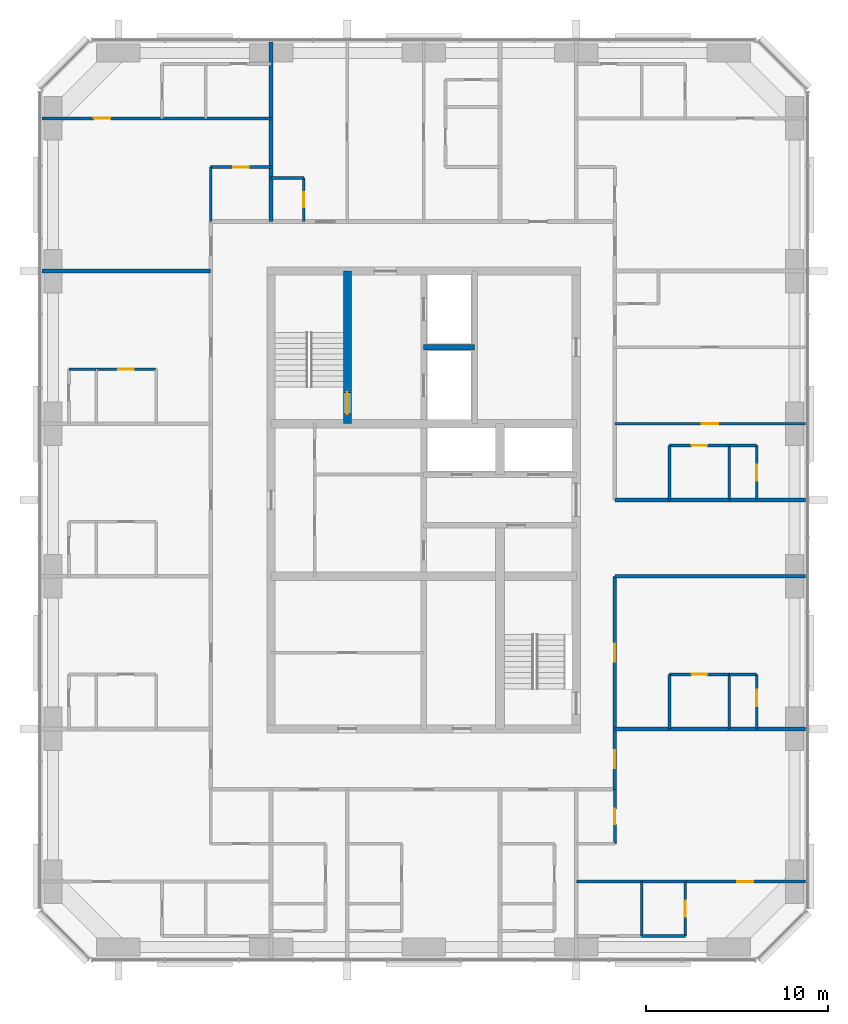
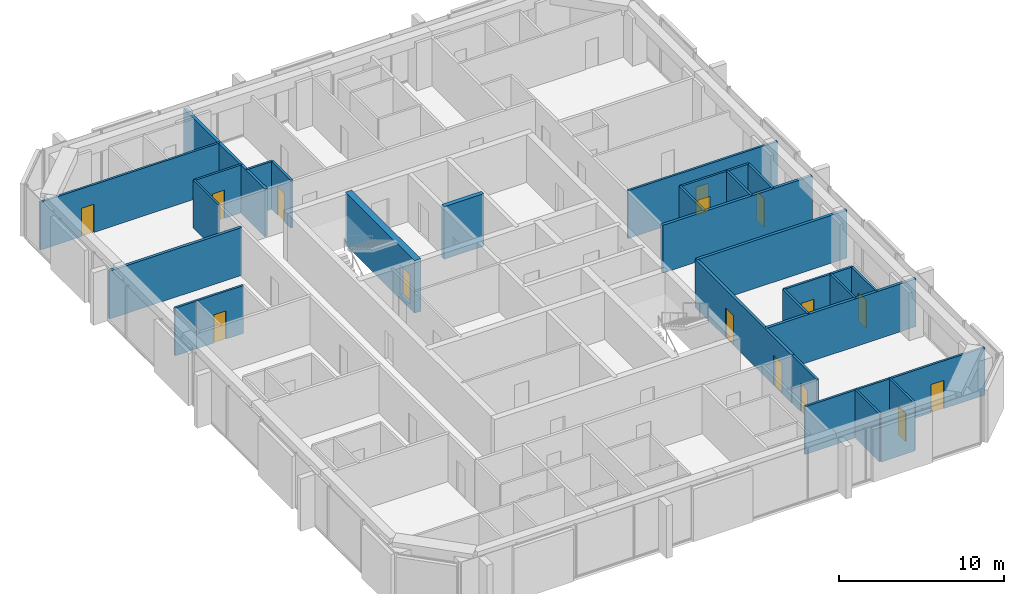
# One storey, part 9 of 12: 31 walls, 15 doors, 15 openings.
"""IFC4 building model written with IfcOpenShell, lengths in metres."""

from ifc_helpers import new_model, si_unit, direction, frame, frame_2d, origin, place, context, subcontext, project, spatial, rectangle, extrude, material, layer, layer_set, type_object, element, fill, save


model = new_model("IFC4")

# Units and contexts
model_context = context("Model", 3, precision=1e-05, world=origin(), true_north=direction((0.0, 1.0)))
body_context = subcontext(model_context, "Body", "Model", "MODEL_VIEW")
ifc_project = project(units=[si_unit("LENGTHUNIT", "METRE"), si_unit("AREAUNIT", "SQUARE_METRE"), si_unit("VOLUMEUNIT", "CUBIC_METRE"), si_unit("PLANEANGLEUNIT", "RADIAN"), si_unit("MASSUNIT", "GRAM", prefix="KILO")], contexts=[model_context])

# Site, building, storey
site_placement = place(None, origin())
site = spatial("IfcSite", under=ifc_project, at=site_placement, CompositionType="ELEMENT")
building_placement = place(site_placement, origin())
building = spatial("IfcBuilding", under=site, at=building_placement, Name="Dunama Terrace Hotel", CompositionType="ELEMENT")
storey_placement = place(building_placement, frame((0.0, 0.0, 241.199951171875)))
storey = spatial("IfcBuildingStorey", under=building, at=storey_placement, Name="L62", CompositionType="ELEMENT", Elevation=241.199951171875)

# Wall
ifc_material_1 = material(Name="Gypsum board partition", Category="masonry")
ifc_layer_1 = layer(ifc_material_1, 0.14990234375)
ifc_layer_set_1 = layer_set([ifc_layer_1], Name="Bathroom partition 150")
wall_type_1 = type_object("IfcWallType", Name="Bathroom partition 150", PredefinedType="PARTITIONING", material=ifc_layer_set_1)
wall_1_placement = place(storey_placement, frame((21.875, 44.72509765625, 0.0), z_axis=(0.0, 0.0, 1.0), x_axis=(0.0, 1.0, 0.0)))
element("IfcWall", 1, at=wall_1_placement, inside=storey, type_object=wall_type_1, Name="Bathroom partition 150 L62", PredefinedType="PARTITIONING", context=body_context, shape_type="SweptSolid", body=[
    extrude(rectangle(XDim=3.0, YDim=0.14990234375, at=frame_2d((1.5, 0.0))), origin(), (0.0, 0.0, 1.0), 3.550048828125),
])

# Wall, opening, door
wall_2_placement = place(storey_placement, frame((27.0, 44.72509765625, 0.0), z_axis=(0.0, 0.0, 1.0), x_axis=(0.0, 1.0, 0.0)))
wall_2 = element("IfcWall", 2, at=wall_2_placement, inside=storey, type_object=wall_type_1, Name="Bathroom partition 150 L62", PredefinedType="PARTITIONING", context=body_context, shape_type="SweptSolid", body=[
    extrude(rectangle(XDim=2.39990234375, YDim=0.14990234375, at=frame_2d((1.199951171875, 0.0))), origin(), (0.0, 0.0, 1.0), 3.550048828125),
])
opening_1_placement = place(wall_2_placement, frame((0.77490234375, 0.0, 0.0)))
opening_1 = element("IfcOpeningElement", 3, at=opening_1_placement, cuts=wall_2, Name="Opening L62-64-026", PredefinedType="OPENING", context=body_context, shape_type="SweptSolid", body=[
    extrude(rectangle(XDim=0.85009765625, YDim=2.10009765625, at=frame_2d((0.425048828125, 1.050048828125))), frame((0.0, 0.0849609375, 0.0), z_axis=(0.0, -1.0, 0.0), x_axis=(1.0, 0.0, 0.0)), (0.0, 0.0, 1.0), 0.169921875),
])
ifc_material_2 = material(Name="Timber door with steel frame", Category="steel")
door_type_1 = type_object("IfcDoorType", Name="Bathroom door 850", OperationType="SINGLE_SWING_LEFT", PredefinedType="DOOR", material=ifc_material_2)
door_1_placement = place(opening_1_placement, origin())
door_1 = element("IfcDoor", 4, at=door_1_placement, inside=storey, type_object=door_type_1, Name="Door to powder room L62-64-026, type D2", OperationType="SINGLE_SWING_LEFT", OverallHeight=2.10009765625, OverallWidth=0.85009765625, PredefinedType="DOOR", context=body_context, shape_type="SweptSolid", body=[
    extrude(rectangle(XDim=0.85009765625, YDim=2.10009765625, at=frame_2d((0.425048828125, 1.050048828125))), frame((0.0, 0.02490234375, 0.0), z_axis=(0.0, -1.0, 0.0), x_axis=(1.0, 0.0, 0.0)), (0.0, 0.0, 1.0), 0.050048828125),
])
fill(opening_1, door_1)

wall_3_placement = place(storey_placement, frame((44.125, 10.47509765625, 0.0), z_axis=(0.0, 0.0, 1.0), x_axis=(0.0, 1.0, 0.0)))
wall_3 = element("IfcWall", 5, at=wall_3_placement, inside=storey, type_object=wall_type_1, Name="Bathroom partition 150 L62", PredefinedType="PARTITIONING", context=body_context, shape_type="SweptSolid", body=[
    extrude(rectangle(XDim=3.0, YDim=0.14990234375, at=frame_2d((1.5, 0.0))), origin(), (0.0, 0.0, 1.0), 3.550048828125),
])
opening_2_placement = place(wall_3_placement, frame((1.074951171875, 0.0, 0.0)))
opening_2 = element("IfcOpeningElement", 6, at=opening_2_placement, cuts=wall_3, Name="Opening L62-64-047", PredefinedType="OPENING", context=body_context, shape_type="SweptSolid", body=[
    extrude(rectangle(XDim=0.85009765625, YDim=2.10009765625, at=frame_2d((0.425048828125, 1.050048828125))), frame((0.0, 0.0849609375, 0.0), z_axis=(0.0, -1.0, 0.0), x_axis=(1.0, 0.0, 0.0)), (0.0, 0.0, 1.0), 0.169921875),
])
door_2_placement = place(opening_2_placement, origin())
door_2 = element("IfcDoor", 7, at=door_2_placement, inside=storey, type_object=door_type_1, Name="Door to powder room L62-64-047, type D2", OperationType="SINGLE_SWING_RIGHT", OverallHeight=2.10009765625, OverallWidth=0.85009765625, PredefinedType="DOOR", context=body_context, shape_type="SweptSolid", body=[
    extrude(rectangle(XDim=0.85009765625, YDim=2.10009765625, at=frame_2d((0.425048828125, 1.050048828125))), frame((0.0, 0.02490234375, 0.0), z_axis=(0.0, -1.0, 0.0), x_axis=(1.0, 0.0, 0.0)), (0.0, 0.0, 1.0), 0.050048828125),
])
fill(opening_2, door_2)

# Walls
for number, where, z_axis, x_axis, name in (
    (8, (47.125, 16.800048828125, 0.0), (0.0, 0.0, 1.0), (0.0, 1.0, 0.0), "Bathroom partition 150 L62"),
    (9, (47.125, 29.39990234375, 0.0), (0.0, 0.0, 1.0), (0.0, 1.0, 0.0), "Bathroom partition 150 L62"),
):
    element("IfcWall", number, at=place(storey_placement, frame(where, z_axis=z_axis, x_axis=x_axis)), inside=storey, type_object=wall_type_1, Name=name, PredefinedType="PARTITIONING", context=body_context, shape_type="SweptSolid", body=[
        extrude(rectangle(XDim=3.0, YDim=0.14990234375, at=frame_2d((1.5, 0.0))), origin(), (0.0, 0.0, 1.0), 3.550048828125),
    ])

# Wall, opening, door
wall_4_placement = place(storey_placement, frame((47.125, 19.800048828125, 0.0), z_axis=(0.0, 0.0, 1.0), x_axis=(1.0, 0.0, 0.0)))
wall_4 = element("IfcWall", 10, at=wall_4_placement, inside=storey, type_object=wall_type_1, Name="Bathroom partition 150 L62", PredefinedType="PARTITIONING", context=body_context, shape_type="SweptSolid", body=[
    extrude(rectangle(XDim=3.300048828125, YDim=0.14990234375, at=frame_2d((1.64990234375, 0.0))), origin(), (0.0, 0.0, 1.0), 3.550048828125),
])
opening_3_placement = place(wall_4_placement, frame((1.22509765625, 0.0, 0.0)))
opening_3 = element("IfcOpeningElement", 11, at=opening_3_placement, cuts=wall_4, Name="Opening L62-64-017", PredefinedType="OPENING", context=body_context, shape_type="SweptSolid", body=[
    extrude(rectangle(XDim=0.85009765625, YDim=2.10009765625, at=frame_2d((0.425048828125, 1.050048828125))), frame((0.0, 0.0849609375, 0.0), z_axis=(0.0, -1.0, 0.0), x_axis=(1.0, 0.0, 0.0)), (0.0, 0.0, 1.0), 0.169921875),
])
door_3_placement = place(opening_3_placement, frame((0.85009765625, 0.0, 0.0), z_axis=(0.0, 0.0, 1.0), x_axis=(-1.0, 0.0, 0.0)))
door_3 = element("IfcDoor", 12, at=door_3_placement, inside=storey, type_object=door_type_1, Name="Door to en-suite bathroom L62-64-017, type D2", OperationType="SINGLE_SWING_LEFT", OverallHeight=2.10009765625, OverallWidth=0.85009765625, PredefinedType="DOOR", context=body_context, shape_type="SweptSolid", body=[
    extrude(rectangle(XDim=0.85009765625, YDim=2.10009765625, at=frame_2d((0.425048828125, 1.050048828125))), frame((0.0, 0.025146484375, 0.0), z_axis=(0.0, -1.0, 0.0), x_axis=(1.0, 0.0, 0.0)), (0.0, 0.0, 1.0), 0.050048828125),
])
fill(opening_3, door_3)

wall_5_placement = place(storey_placement, frame((47.125, 32.39990234375, 0.0), z_axis=(0.0, 0.0, 1.0), x_axis=(1.0, 0.0, 0.0)))
wall_5 = element("IfcWall", 13, at=wall_5_placement, inside=storey, type_object=wall_type_1, Name="Bathroom partition 150 L62", PredefinedType="PARTITIONING", context=body_context, shape_type="SweptSolid", body=[
    extrude(rectangle(XDim=3.300048828125, YDim=0.14990234375, at=frame_2d((1.64990234375, 0.0))), origin(), (0.0, 0.0, 1.0), 3.550048828125),
])
opening_4_placement = place(wall_5_placement, frame((1.22509765625, 0.0, 0.0)))
opening_4 = element("IfcOpeningElement", 14, at=opening_4_placement, cuts=wall_5, Name="Opening L62-64-023", PredefinedType="OPENING", context=body_context, shape_type="SweptSolid", body=[
    extrude(rectangle(XDim=0.85009765625, YDim=2.10009765625, at=frame_2d((0.425048828125, 1.050048828125))), frame((0.0, 0.0849609375, 0.0), z_axis=(0.0, -1.0, 0.0), x_axis=(1.0, 0.0, 0.0)), (0.0, 0.0, 1.0), 0.169921875),
])
door_4_placement = place(opening_4_placement, frame((0.85009765625, 0.0, 0.0), z_axis=(0.0, 0.0, 1.0), x_axis=(-1.0, 0.0, 0.0)))
door_4 = element("IfcDoor", 15, at=door_4_placement, inside=storey, type_object=door_type_1, Name="Door to en-suite bathroom L62-64-023, type D2", OperationType="SINGLE_SWING_RIGHT", OverallHeight=2.10009765625, OverallWidth=0.85009765625, PredefinedType="DOOR", context=body_context, shape_type="SweptSolid", body=[
    extrude(rectangle(XDim=0.85009765625, YDim=2.10009765625, at=frame_2d((0.425048828125, 1.050048828125))), frame((0.0, 0.025146484375, 0.0), z_axis=(0.0, -1.0, 0.0), x_axis=(1.0, 0.0, 0.0)), (0.0, 0.0, 1.0), 0.050048828125),
])
fill(opening_4, door_4)

wall_6_placement = place(storey_placement, frame((15.574951171875, 36.60009765625, 0.0), z_axis=(0.0, 0.0, 1.0), x_axis=(1.0, 0.0, 0.0)))
wall_6 = element("IfcWall", 16, at=wall_6_placement, inside=storey, type_object=wall_type_1, Name="Bathroom partition 150 L62", PredefinedType="PARTITIONING", context=body_context, shape_type="SweptSolid", body=[
    extrude(rectangle(XDim=3.300048828125, YDim=0.14990234375, at=frame_2d((1.64990234375, 0.0))), origin(), (0.0, 0.0, 1.0), 3.550048828125),
])
opening_5_placement = place(wall_6_placement, frame((1.22509765625, 0.0, 0.0)))
opening_5 = element("IfcOpeningElement", 17, at=opening_5_placement, cuts=wall_6, Name="Opening L62-64-039", PredefinedType="OPENING", context=body_context, shape_type="SweptSolid", body=[
    extrude(rectangle(XDim=0.85009765625, YDim=2.10009765625, at=frame_2d((0.425048828125, 1.050048828125))), frame((0.0, 0.0849609375, 0.0), z_axis=(0.0, -1.0, 0.0), x_axis=(1.0, 0.0, 0.0)), (0.0, 0.0, 1.0), 0.169921875),
])
door_5_placement = place(opening_5_placement, frame((0.85009765625, 0.0, 0.0), z_axis=(0.0, 0.0, 1.0), x_axis=(-1.0, 0.0, 0.0)))
door_5 = element("IfcDoor", 18, at=door_5_placement, inside=storey, type_object=door_type_1, Name="Door to en-suite bathroom L62-64-039, type D2", OperationType="SINGLE_SWING_LEFT", OverallHeight=2.10009765625, OverallWidth=0.85009765625, PredefinedType="DOOR", context=body_context, shape_type="SweptSolid", body=[
    extrude(rectangle(XDim=0.85009765625, YDim=2.10009765625, at=frame_2d((0.425048828125, 1.050048828125))), frame((0.0, 0.025146484375, 0.0), z_axis=(0.0, -1.0, 0.0), x_axis=(1.0, 0.0, 0.0)), (0.0, 0.0, 1.0), 0.050048828125),
])
fill(opening_5, door_5)

# Wall
wall_7_placement = place(storey_placement, frame((25.199951171875, 47.125, 0.0), z_axis=(0.0, 0.0, 1.0), x_axis=(1.0, 0.0, 0.0)))
element("IfcWall", 19, at=wall_7_placement, inside=storey, type_object=wall_type_1, Name="Bathroom partition 150 L62", PredefinedType="PARTITIONING", context=body_context, shape_type="SweptSolid", body=[
    extrude(rectangle(XDim=1.800048828125, YDim=0.14990234375, at=frame_2d((0.89990234375, 0.0))), origin(), (0.0, 0.0, 1.0), 3.550048828125),
])

# Wall, opening, door
wall_8_placement = place(storey_placement, frame((21.875, 47.72509765625, 0.0), z_axis=(0.0, 0.0, 1.0), x_axis=(1.0, 0.0, 0.0)))
wall_8 = element("IfcWall", 20, at=wall_8_placement, inside=storey, type_object=wall_type_1, Name="Bathroom partition 150 L62", PredefinedType="PARTITIONING", context=body_context, shape_type="SweptSolid", body=[
    extrude(rectangle(XDim=3.324951171875, YDim=0.14990234375, at=frame_2d((1.66259765625, 0.0))), origin(), (0.0, 0.0, 1.0), 3.550048828125),
])
opening_6_placement = place(wall_8_placement, frame((1.238037109375, 0.0, 0.0)))
opening_6 = element("IfcOpeningElement", 21, at=opening_6_placement, cuts=wall_8, Name="Opening L62-64-057", PredefinedType="OPENING", context=body_context, shape_type="SweptSolid", body=[
    extrude(rectangle(XDim=0.85009765625, YDim=2.10009765625, at=frame_2d((0.425048828125, 1.050048828125))), frame((0.0, 0.0849609375, 0.0), z_axis=(0.0, -1.0, 0.0), x_axis=(1.0, 0.0, 0.0)), (0.0, 0.0, 1.0), 0.169921875),
])
door_6_placement = place(opening_6_placement, frame((0.85009765625, 0.0, 0.0), z_axis=(0.0, 0.0, 1.0), x_axis=(-1.0, 0.0, 0.0)))
door_6 = element("IfcDoor", 22, at=door_6_placement, inside=storey, type_object=door_type_1, Name="Door to powder room L62-64-057, type D2", OperationType="SINGLE_SWING_LEFT", OverallHeight=2.10009765625, OverallWidth=0.85009765625, PredefinedType="DOOR", context=body_context, shape_type="SweptSolid", body=[
    extrude(rectangle(XDim=0.85009765625, YDim=2.10009765625, at=frame_2d((0.425048828125, 1.050048828125))), frame((0.0, 0.025146484375, 0.0), z_axis=(0.0, -1.0, 0.0), x_axis=(1.0, 0.0, 0.0)), (0.0, 0.0, 1.0), 0.050048828125),
])
fill(opening_6, door_6)

# Wall
ifc_material_3 = material(Name="Concrete C50/60", Category="concrete")
ifc_layer_2 = layer(ifc_material_3, 0.300048828125)
ifc_layer_set_2 = layer_set([ifc_layer_2], Name="Core inner wall 300")
wall_type_2 = type_object("IfcWallType", Name="Core inner wall 300", PredefinedType="SHEAR", material=ifc_layer_set_2)
wall_9_placement = place(storey_placement, frame((33.60009765625, 37.800048828125, -0.349853515625), z_axis=(0.0, 0.0, 1.0), x_axis=(1.0, 0.0, 0.0)))
element("IfcWall", 23, at=wall_9_placement, inside=storey, type_object=wall_type_2, Name="Core inner wall 300 L62", PredefinedType="SHEAR", context=body_context, shape_type="SweptSolid", body=[
    extrude(rectangle(XDim=2.7998046875, YDim=0.300048828125, at=frame_2d((1.39990234375, 0.0))), origin(), (0.0, 0.0, 1.0), 3.89990234375),
])

# Wall, opening, door
ifc_material_4 = material(Name="Concrete C50/60", Category="concrete")
ifc_layer_3 = layer(ifc_material_4, 0.449951171875)
ifc_layer_set_3 = layer_set([ifc_layer_3], Name="Core inner wall 450")
wall_type_3 = type_object("IfcWallType", Name="Core inner wall 450", PredefinedType="SHEAR", material=ifc_layer_set_3)
wall_10_placement = place(storey_placement, frame((29.39990234375, 33.60009765625, -0.349853515625), z_axis=(0.0, 0.0, 1.0), x_axis=(0.0, 1.0, 0.0)))
wall_10 = element("IfcWall", 24, at=wall_10_placement, inside=storey, type_object=wall_type_3, Name="Core inner wall 450 L62", PredefinedType="SHEAR", context=body_context, shape_type="SweptSolid", body=[
    extrude(rectangle(XDim=8.39990234375, YDim=0.449951171875, at=frame_2d((4.199951171875, 0.0))), origin(), (0.0, 0.0, 1.0), 3.89990234375),
])
opening_7_placement = place(wall_10_placement, frame((0.52490234375, 0.0, 0.35009765625)))
opening_7 = element("IfcOpeningElement", 25, at=opening_7_placement, cuts=wall_10, Name="Opening L62-64-001", PredefinedType="OPENING", context=body_context, shape_type="SweptSolid", body=[
    extrude(rectangle(XDim=1.199951171875, YDim=2.199951171875, at=frame_2d((0.60009765625, 1.10009765625))), frame((0.0, 0.23486328125, 0.0), z_axis=(0.0, -1.0, 0.0), x_axis=(1.0, 0.0, 0.0)), (0.0, 0.0, 1.0), 0.469970703125),
])
ifc_material_5 = material(Name="Timber door with steel frame", Category="steel")
door_type_2 = type_object("IfcDoorType", Name="Stair door 1200", OperationType="SINGLE_SWING_LEFT", PredefinedType="DOOR", material=ifc_material_5)
door_7_placement = place(opening_7_placement, origin())
door_7 = element("IfcDoor", 26, at=door_7_placement, inside=storey, type_object=door_type_2, Name="Stair door ST1 L62-64-001, type D5", OperationType="SINGLE_SWING_LEFT", OverallHeight=2.199951171875, OverallWidth=1.199951171875, PredefinedType="DOOR", context=body_context, shape_type="SweptSolid", body=[
    extrude(rectangle(XDim=1.199951171875, YDim=2.199951171875, at=frame_2d((0.60009765625, 1.10009765625))), frame((0.0, 0.02490234375, 0.0), z_axis=(0.0, -1.0, 0.0), x_axis=(1.0, 0.0, 0.0)), (0.0, 0.0, 1.0), 0.050048828125),
])
fill(opening_7, door_7)

# Wall
ifc_material_6 = material(Name="Concrete blockwork", Category="masonry")
ifc_layer_4 = layer(ifc_material_6, 0.199951171875)
ifc_layer_set_4 = layer_set([ifc_layer_4], Name="Corridor partition 200")
wall_type_4 = type_object("IfcWallType", Name="Corridor partition 200", PredefinedType="PARTITIONING", material=ifc_layer_set_4)
wall_11_placement = place(storey_placement, frame((44.125, 29.39990234375, 0.0), z_axis=(0.0, 0.0, 1.0), x_axis=(1.0, 0.0, 0.0)))
element("IfcWall", 27, at=wall_11_placement, inside=storey, type_object=wall_type_4, Name="Corridor partition 200 L62", PredefinedType="PARTITIONING", context=body_context, shape_type="SweptSolid", body=[
    extrude(rectangle(XDim=10.492919921875, YDim=0.199951171875, at=frame_2d((5.24658203125, 0.0))), origin(), (0.0, 0.0, 1.0), 3.550048828125),
])

# Wall, openings, doors
wall_12_placement = place(storey_placement, frame((44.125, 25.199951171875, 0.0), z_axis=(0.0, 0.0, 1.0), x_axis=(0.0, -1.0, 0.0)))
wall_12 = element("IfcWall", 28, at=wall_12_placement, inside=storey, type_object=wall_type_4, Name="Corridor partition 200 L62", PredefinedType="PARTITIONING", context=body_context, shape_type="SweptSolid", body=[
    extrude(rectangle(XDim=11.724853515625, YDim=0.199951171875, at=frame_2d((5.8623046875, 0.0))), origin(), (0.0, 0.0, 1.0), 3.550048828125),
])
opening_8_placement = place(wall_12_placement, frame((3.699951171875, 0.0, 0.0)))
opening_8 = element("IfcOpeningElement", 29, at=opening_8_placement, cuts=wall_12, Name="Opening L62-64-016", PredefinedType="OPENING", context=body_context, shape_type="SweptSolid", body=[
    extrude(rectangle(XDim=1.0, YDim=2.199951171875, at=frame_2d((0.5, 1.10009765625))), frame((0.0, 0.10986328125, 0.0), z_axis=(0.0, -1.0, 0.0), x_axis=(1.0, 0.0, 0.0)), (0.0, 0.0, 1.0), 0.219970703125),
])
opening_9_placement = place(wall_12_placement, frame((9.56298828125, 0.0, 0.0)))
opening_9 = element("IfcOpeningElement", 30, at=opening_9_placement, cuts=wall_12, Name="Opening L62-64-046", PredefinedType="OPENING", context=body_context, shape_type="SweptSolid", body=[
    extrude(rectangle(XDim=1.0, YDim=2.199951171875, at=frame_2d((0.5, 1.10009765625))), frame((0.0, 0.10986328125, 0.0), z_axis=(0.0, -1.0, 0.0), x_axis=(1.0, 0.0, 0.0)), (0.0, 0.0, 1.0), 0.219970703125),
])
ifc_material_7 = material(Name="Timber door with steel frame", Category="steel")
door_type_3 = type_object("IfcDoorType", Name="Guest room door 1000", OperationType="SINGLE_SWING_LEFT", PredefinedType="DOOR", material=ifc_material_7)
door_8_placement = place(opening_8_placement, origin())
door_8 = element("IfcDoor", 31, at=door_8_placement, inside=storey, type_object=door_type_3, Name="Door to junior suite L62-64-016, type D1", OperationType="SINGLE_SWING_LEFT", OverallHeight=2.199951171875, OverallWidth=1.0, PredefinedType="DOOR", context=body_context, shape_type="SweptSolid", body=[
    extrude(rectangle(XDim=1.0, YDim=2.199951171875, at=frame_2d((0.5, 1.10009765625))), frame((0.0, 0.02490234375, 0.0), z_axis=(0.0, -1.0, 0.0), x_axis=(1.0, 0.0, 0.0)), (0.0, 0.0, 1.0), 0.050048828125),
])
fill(opening_8, door_8)
door_9_placement = place(opening_9_placement, origin())
door_9 = element("IfcDoor", 32, at=door_9_placement, inside=storey, type_object=door_type_3, Name="Door to grand corner suite living room L62-64-046, type D1", OperationType="SINGLE_SWING_RIGHT", OverallHeight=2.199951171875, OverallWidth=1.0, PredefinedType="DOOR", context=body_context, shape_type="SweptSolid", body=[
    extrude(rectangle(XDim=1.0, YDim=2.199951171875, at=frame_2d((0.5, 1.10009765625))), frame((0.0, 0.02490234375, 0.0), z_axis=(0.0, -1.0, 0.0), x_axis=(1.0, 0.0, 0.0)), (0.0, 0.0, 1.0), 0.050048828125),
])
fill(opening_9, door_9)

# Walls
wall_13_placement = place(storey_placement, frame((54.617919921875, 25.199951171875, 0.0), z_axis=(0.0, 0.0, 1.0), x_axis=(-1.0, 0.0, 0.0)))
element("IfcWall", 33, at=wall_13_placement, inside=storey, type_object=wall_type_4, Name="Corridor partition 200 L62", PredefinedType="PARTITIONING", context=body_context, shape_type="SweptSolid", body=[
    extrude(rectangle(XDim=10.492919921875, YDim=0.199951171875, at=frame_2d((5.24658203125, 0.0))), origin(), (0.0, 0.0, 1.0), 3.550048828125),
])
ifc_material_8 = material(Name="Concrete blockwork", Category="masonry")
ifc_layer_5 = layer(ifc_material_8, 0.199951171875)
ifc_layer_set_5 = layer_set([ifc_layer_5], Name="Party wall 200")
wall_type_5 = type_object("IfcWallType", Name="Party wall 200", PredefinedType="PARTITIONING", material=ifc_layer_set_5)
wall_14_placement = place(storey_placement, frame((25.199951171875, 44.72509765625, 0.0), z_axis=(0.0, 0.0, 1.0), x_axis=(0.0, 1.0, 0.0)))
element("IfcWall", 34, at=wall_14_placement, inside=storey, type_object=wall_type_5, Name="Party wall 200 L62", PredefinedType="PARTITIONING", context=body_context, shape_type="SweptSolid", body=[
    extrude(rectangle(XDim=9.892822265625, YDim=0.199951171875, at=frame_2d((4.9462890625, 0.0))), origin(), (0.0, 0.0, 1.0), 3.550048828125),
])
wall_15_placement = place(storey_placement, frame((44.125, 16.800048828125, 0.0), z_axis=(0.0, 0.0, 1.0), x_axis=(1.0, 0.0, 0.0)))
element("IfcWall", 35, at=wall_15_placement, inside=storey, type_object=wall_type_5, Name="Party wall 200 L62", PredefinedType="PARTITIONING", context=body_context, shape_type="SweptSolid", body=[
    extrude(rectangle(XDim=10.492919921875, YDim=0.199951171875, at=frame_2d((5.24658203125, 0.0))), origin(), (0.0, 0.0, 1.0), 3.550048828125),
])
wall_16_placement = place(storey_placement, frame((12.58203125, 42.0, 0.0), z_axis=(0.0, 0.0, 1.0), x_axis=(1.0, 0.0, 0.0)))
element("IfcWall", 36, at=wall_16_placement, inside=storey, type_object=wall_type_5, Name="Party wall 200 L62", PredefinedType="PARTITIONING", context=body_context, shape_type="SweptSolid", body=[
    extrude(rectangle(XDim=9.29296875, YDim=0.199951171875, at=frame_2d((4.646484375, 0.0))), origin(), (0.0, 0.0, 1.0), 3.550048828125),
])
ifc_material_9 = material(Name="Gypsum board partition", Category="masonry")
ifc_layer_6 = layer(ifc_material_9, 0.14990234375)
ifc_layer_set_6 = layer_set([ifc_layer_6], Name="Room partition 150")
wall_type_6 = type_object("IfcWallType", Name="Room partition 150", PredefinedType="PARTITIONING", material=ifc_layer_set_6)
wall_17_placement = place(storey_placement, frame((45.60009765625, 5.39990234375, 0.0), z_axis=(0.0, 0.0, 1.0), x_axis=(0.0, 1.0, 0.0)))
element("IfcWall", 37, at=wall_17_placement, inside=storey, type_object=wall_type_6, Name="Room partition 150 L62", PredefinedType="PARTITIONING", context=body_context, shape_type="SweptSolid", body=[
    extrude(rectangle(XDim=3.0, YDim=0.14990234375, at=frame_2d((1.5, 0.0))), origin(), (0.0, 0.0, 1.0), 3.550048828125),
])

# Wall, opening, door
wall_18_placement = place(storey_placement, frame((48.0, 5.39990234375, 0.0), z_axis=(0.0, 0.0, 1.0), x_axis=(0.0, 1.0, 0.0)))
wall_18 = element("IfcWall", 38, at=wall_18_placement, inside=storey, type_object=wall_type_6, Name="Room partition 150 L62", PredefinedType="PARTITIONING", context=body_context, shape_type="SweptSolid", body=[
    extrude(rectangle(XDim=3.0, YDim=0.14990234375, at=frame_2d((1.5, 0.0))), origin(), (0.0, 0.0, 1.0), 3.550048828125),
])
opening_10_placement = place(wall_18_placement, frame((1.050048828125, 0.0, 0.0)))
opening_10 = element("IfcOpeningElement", 39, at=opening_10_placement, cuts=wall_18, Name="Opening L62-64-050", PredefinedType="OPENING", context=body_context, shape_type="SweptSolid", body=[
    extrude(rectangle(XDim=0.89990234375, YDim=2.10009765625, at=frame_2d((0.449951171875, 1.050048828125))), frame((0.0, 0.0849609375, 0.0), z_axis=(0.0, -1.0, 0.0), x_axis=(1.0, 0.0, 0.0)), (0.0, 0.0, 1.0), 0.169921875),
])
ifc_material_10 = material(Name="Timber door with steel frame", Category="steel")
door_type_4 = type_object("IfcDoorType", Name="Suite internal door 900", OperationType="SINGLE_SWING_LEFT", PredefinedType="DOOR", material=ifc_material_10)
door_10_placement = place(opening_10_placement, origin())
door_10 = element("IfcDoor", 40, at=door_10_placement, inside=storey, type_object=door_type_4, Name="Door to dressing room L62-64-050, type D16", OperationType="SINGLE_SWING_LEFT", OverallHeight=2.10009765625, OverallWidth=0.89990234375, PredefinedType="DOOR", context=body_context, shape_type="SweptSolid", body=[
    extrude(rectangle(XDim=0.89990234375, YDim=2.10009765625, at=frame_2d((0.449951171875, 1.050048828125))), frame((0.0, 0.02490234375, 0.0), z_axis=(0.0, -1.0, 0.0), x_axis=(1.0, 0.0, 0.0)), (0.0, 0.0, 1.0), 0.050048828125),
])
fill(opening_10, door_10)

# Walls
for number, where, z_axis, x_axis, name in (
    (41, (50.425048828125, 16.800048828125, 0.0), (0.0, 0.0, 1.0), (0.0, 1.0, 0.0), "Room partition 150 L62"),
    (42, (50.425048828125, 29.39990234375, 0.0), (0.0, 0.0, 1.0), (0.0, 1.0, 0.0), "Room partition 150 L62"),
):
    element("IfcWall", number, at=place(storey_placement, frame(where, z_axis=z_axis, x_axis=x_axis)), inside=storey, type_object=wall_type_6, Name=name, PredefinedType="PARTITIONING", context=body_context, shape_type="SweptSolid", body=[
        extrude(rectangle(XDim=3.0, YDim=0.14990234375, at=frame_2d((1.5, 0.0))), origin(), (0.0, 0.0, 1.0), 3.550048828125),
    ])

# Wall, opening, door
wall_19_placement = place(storey_placement, frame((51.925048828125, 16.800048828125, 0.0), z_axis=(0.0, 0.0, 1.0), x_axis=(0.0, 1.0, 0.0)))
wall_19 = element("IfcWall", 43, at=wall_19_placement, inside=storey, type_object=wall_type_6, Name="Room partition 150 L62", PredefinedType="PARTITIONING", context=body_context, shape_type="SweptSolid", body=[
    extrude(rectangle(XDim=3.0, YDim=0.14990234375, at=frame_2d((1.5, 0.0))), origin(), (0.0, 0.0, 1.0), 3.550048828125),
])
opening_11_placement = place(wall_19_placement, frame((1.25, 0.0, 0.0)))
opening_11 = element("IfcOpeningElement", 44, at=opening_11_placement, cuts=wall_19, Name="Opening L62-64-018", PredefinedType="OPENING", context=body_context, shape_type="SweptSolid", body=[
    extrude(rectangle(XDim=0.89990234375, YDim=2.10009765625, at=frame_2d((0.449951171875, 1.050048828125))), frame((0.0, 0.0849609375, 0.0), z_axis=(0.0, -1.0, 0.0), x_axis=(1.0, 0.0, 0.0)), (0.0, 0.0, 1.0), 0.169921875),
])
door_11_placement = place(opening_11_placement, origin())
door_11 = element("IfcDoor", 45, at=door_11_placement, inside=storey, type_object=door_type_4, Name="Door to walk-in wardrobe L62-64-018, type D16", OperationType="SINGLE_SWING_LEFT", OverallHeight=2.10009765625, OverallWidth=0.89990234375, PredefinedType="DOOR", context=body_context, shape_type="SweptSolid", body=[
    extrude(rectangle(XDim=0.89990234375, YDim=2.10009765625, at=frame_2d((0.449951171875, 1.050048828125))), frame((0.0, 0.02490234375, 0.0), z_axis=(0.0, -1.0, 0.0), x_axis=(1.0, 0.0, 0.0)), (0.0, 0.0, 1.0), 0.050048828125),
])
fill(opening_11, door_11)

wall_20_placement = place(storey_placement, frame((51.925048828125, 29.39990234375, 0.0), z_axis=(0.0, 0.0, 1.0), x_axis=(0.0, 1.0, 0.0)))
wall_20 = element("IfcWall", 46, at=wall_20_placement, inside=storey, type_object=wall_type_6, Name="Room partition 150 L62", PredefinedType="PARTITIONING", context=body_context, shape_type="SweptSolid", body=[
    extrude(rectangle(XDim=3.0, YDim=0.14990234375, at=frame_2d((1.5, 0.0))), origin(), (0.0, 0.0, 1.0), 3.550048828125),
])
opening_12_placement = place(wall_20_placement, frame((1.050048828125, 0.0, 0.0)))
opening_12 = element("IfcOpeningElement", 47, at=opening_12_placement, cuts=wall_20, Name="Opening L62-64-024", PredefinedType="OPENING", context=body_context, shape_type="SweptSolid", body=[
    extrude(rectangle(XDim=0.89990234375, YDim=2.10009765625, at=frame_2d((0.449951171875, 1.050048828125))), frame((0.0, 0.0849609375, 0.0), z_axis=(0.0, -1.0, 0.0), x_axis=(1.0, 0.0, 0.0)), (0.0, 0.0, 1.0), 0.169921875),
])
door_12_placement = place(opening_12_placement, origin())
door_12 = element("IfcDoor", 48, at=door_12_placement, inside=storey, type_object=door_type_4, Name="Door to walk-in wardrobe L62-64-024, type D16", OperationType="SINGLE_SWING_LEFT", OverallHeight=2.10009765625, OverallWidth=0.89990234375, PredefinedType="DOOR", context=body_context, shape_type="SweptSolid", body=[
    extrude(rectangle(XDim=0.89990234375, YDim=2.10009765625, at=frame_2d((0.449951171875, 1.050048828125))), frame((0.0, 0.02490234375, 0.0), z_axis=(0.0, -1.0, 0.0), x_axis=(1.0, 0.0, 0.0)), (0.0, 0.0, 1.0), 0.050048828125),
])
fill(opening_12, door_12)

# Wall
wall_21_placement = place(storey_placement, frame((45.60009765625, 5.39990234375, 0.0), z_axis=(0.0, 0.0, 1.0), x_axis=(1.0, 0.0, 0.0)))
element("IfcWall", 49, at=wall_21_placement, inside=storey, type_object=wall_type_6, Name="Room partition 150 L62", PredefinedType="PARTITIONING", context=body_context, shape_type="SweptSolid", body=[
    extrude(rectangle(XDim=2.39990234375, YDim=0.14990234375, at=frame_2d((1.199951171875, 0.0))), origin(), (0.0, 0.0, 1.0), 3.550048828125),
])

# Wall, opening, door
wall_22_placement = place(storey_placement, frame((42.0, 8.39990234375, 0.0), z_axis=(0.0, 0.0, 1.0), x_axis=(1.0, 0.0, 0.0)))
wall_22 = element("IfcWall", 50, at=wall_22_placement, inside=storey, type_object=wall_type_6, Name="Room partition 150 L62", PredefinedType="PARTITIONING", context=body_context, shape_type="SweptSolid", body=[
    extrude(rectangle(XDim=12.617919921875, YDim=0.14990234375, at=frame_2d((6.30908203125, 0.0))), origin(), (0.0, 0.0, 1.0), 3.550048828125),
])
opening_13_placement = place(wall_22_placement, frame((8.85009765625, 0.0, 0.0)))
opening_13 = element("IfcOpeningElement", 51, at=opening_13_placement, cuts=wall_22, Name="Opening L62-64-048", PredefinedType="OPENING", context=body_context, shape_type="SweptSolid", body=[
    extrude(rectangle(XDim=0.89990234375, YDim=2.10009765625, at=frame_2d((0.449951171875, 1.050048828125))), frame((0.0, 0.0849609375, 0.0), z_axis=(0.0, -1.0, 0.0), x_axis=(1.0, 0.0, 0.0)), (0.0, 0.0, 1.0), 0.169921875),
])
door_13_placement = place(opening_13_placement, frame((0.89990234375, 0.0, 0.0), z_axis=(0.0, 0.0, 1.0), x_axis=(-1.0, 0.0, 0.0)))
door_13 = element("IfcDoor", 52, at=door_13_placement, inside=storey, type_object=door_type_4, Name="Door to grand corner suite bedroom L62-64-048, type D16", OperationType="SINGLE_SWING_LEFT", OverallHeight=2.10009765625, OverallWidth=0.89990234375, PredefinedType="DOOR", context=body_context, shape_type="SweptSolid", body=[
    extrude(rectangle(XDim=0.89990234375, YDim=2.10009765625, at=frame_2d((0.449951171875, 1.050048828125))), frame((0.0, 0.025146484375, 0.0), z_axis=(0.0, -1.0, 0.0), x_axis=(1.0, 0.0, 0.0)), (0.0, 0.0, 1.0), 0.050048828125),
])
fill(opening_13, door_13)

# Walls
for number, where, z_axis, x_axis, name in (
    (53, (50.425048828125, 19.800048828125, 0.0), (0.0, 0.0, 1.0), (1.0, 0.0, 0.0), "Room partition 150 L62"),
    (54, (50.425048828125, 32.39990234375, 0.0), (0.0, 0.0, 1.0), (1.0, 0.0, 0.0), "Room partition 150 L62"),
):
    element("IfcWall", number, at=place(storey_placement, frame(where, z_axis=z_axis, x_axis=x_axis)), inside=storey, type_object=wall_type_6, Name=name, PredefinedType="PARTITIONING", context=body_context, shape_type="SweptSolid", body=[
        extrude(rectangle(XDim=1.5, YDim=0.14990234375, at=frame_2d((0.75, 0.0))), origin(), (0.0, 0.0, 1.0), 3.550048828125),
    ])

# Wall, opening, door
wall_23_placement = place(storey_placement, frame((44.125, 33.60009765625, 0.0), z_axis=(0.0, 0.0, 1.0), x_axis=(1.0, 0.0, 0.0)))
wall_23 = element("IfcWall", 55, at=wall_23_placement, inside=storey, type_object=wall_type_6, Name="Room partition 150 L62", PredefinedType="PARTITIONING", context=body_context, shape_type="SweptSolid", body=[
    extrude(rectangle(XDim=10.492919921875, YDim=0.14990234375, at=frame_2d((5.24658203125, 0.0))), origin(), (0.0, 0.0, 1.0), 3.550048828125),
])
opening_14_placement = place(wall_23_placement, frame((4.787109375, 0.0, 0.0)))
opening_14 = element("IfcOpeningElement", 56, at=opening_14_placement, cuts=wall_23, Name="Opening L62-64-022", PredefinedType="OPENING", context=body_context, shape_type="SweptSolid", body=[
    extrude(rectangle(XDim=0.89990234375, YDim=2.10009765625, at=frame_2d((0.449951171875, 1.050048828125))), frame((0.0, 0.0849609375, 0.0), z_axis=(0.0, -1.0, 0.0), x_axis=(1.0, 0.0, 0.0)), (0.0, 0.0, 1.0), 0.169921875),
])
door_14_placement = place(opening_14_placement, frame((0.89990234375, 0.0, 0.0), z_axis=(0.0, 0.0, 1.0), x_axis=(-1.0, 0.0, 0.0)))
door_14 = element("IfcDoor", 57, at=door_14_placement, inside=storey, type_object=door_type_4, Name="Door to ambassador suite bedroom L62-64-022, type D16", OperationType="SINGLE_SWING_RIGHT", OverallHeight=2.10009765625, OverallWidth=0.89990234375, PredefinedType="DOOR", context=body_context, shape_type="SweptSolid", body=[
    extrude(rectangle(XDim=0.89990234375, YDim=2.10009765625, at=frame_2d((0.449951171875, 1.050048828125))), frame((0.0, 0.025146484375, 0.0), z_axis=(0.0, -1.0, 0.0), x_axis=(1.0, 0.0, 0.0)), (0.0, 0.0, 1.0), 0.050048828125),
])
fill(opening_14, door_14)

# Wall
wall_24_placement = place(storey_placement, frame((14.074951171875, 36.60009765625, 0.0), z_axis=(0.0, 0.0, 1.0), x_axis=(1.0, 0.0, 0.0)))
element("IfcWall", 58, at=wall_24_placement, inside=storey, type_object=wall_type_6, Name="Room partition 150 L62", PredefinedType="PARTITIONING", context=body_context, shape_type="SweptSolid", body=[
    extrude(rectangle(XDim=1.5, YDim=0.14990234375, at=frame_2d((0.75, 0.0))), origin(), (0.0, 0.0, 1.0), 3.550048828125),
])

# Wall, opening, door
wall_25_placement = place(storey_placement, frame((12.58203125, 50.39990234375, 0.0), z_axis=(0.0, 0.0, 1.0), x_axis=(1.0, 0.0, 0.0)))
wall_25 = element("IfcWall", 59, at=wall_25_placement, inside=storey, type_object=wall_type_6, Name="Room partition 150 L62", PredefinedType="PARTITIONING", context=body_context, shape_type="SweptSolid", body=[
    extrude(rectangle(XDim=12.617919921875, YDim=0.14990234375, at=frame_2d((6.30908203125, 0.0))), origin(), (0.0, 0.0, 1.0), 3.550048828125),
])
opening_15_placement = place(wall_25_placement, frame((2.867919921875, 0.0, 0.0)))
opening_15 = element("IfcOpeningElement", 60, at=opening_15_placement, cuts=wall_25, Name="Opening L62-64-058", PredefinedType="OPENING", context=body_context, shape_type="SweptSolid", body=[
    extrude(rectangle(XDim=0.89990234375, YDim=2.10009765625, at=frame_2d((0.449951171875, 1.050048828125))), frame((0.0, 0.0849609375, 0.0), z_axis=(0.0, -1.0, 0.0), x_axis=(1.0, 0.0, 0.0)), (0.0, 0.0, 1.0), 0.169921875),
])
door_15_placement = place(opening_15_placement, origin())
door_15 = element("IfcDoor", 61, at=door_15_placement, inside=storey, type_object=door_type_4, Name="Door to grand corner suite bedroom L62-64-058, type D16", OperationType="SINGLE_SWING_LEFT", OverallHeight=2.10009765625, OverallWidth=0.89990234375, PredefinedType="DOOR", context=body_context, shape_type="SweptSolid", body=[
    extrude(rectangle(XDim=0.89990234375, YDim=2.10009765625, at=frame_2d((0.449951171875, 1.050048828125))), frame((0.0, 0.02490234375, 0.0), z_axis=(0.0, -1.0, 0.0), x_axis=(1.0, 0.0, 0.0)), (0.0, 0.0, 1.0), 0.050048828125),
])
fill(opening_15, door_15)

save(model, "model.ifc")
